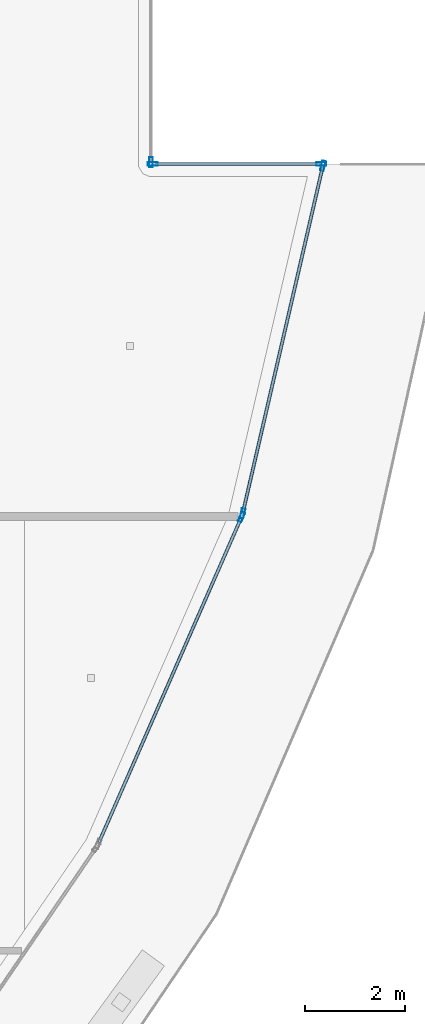
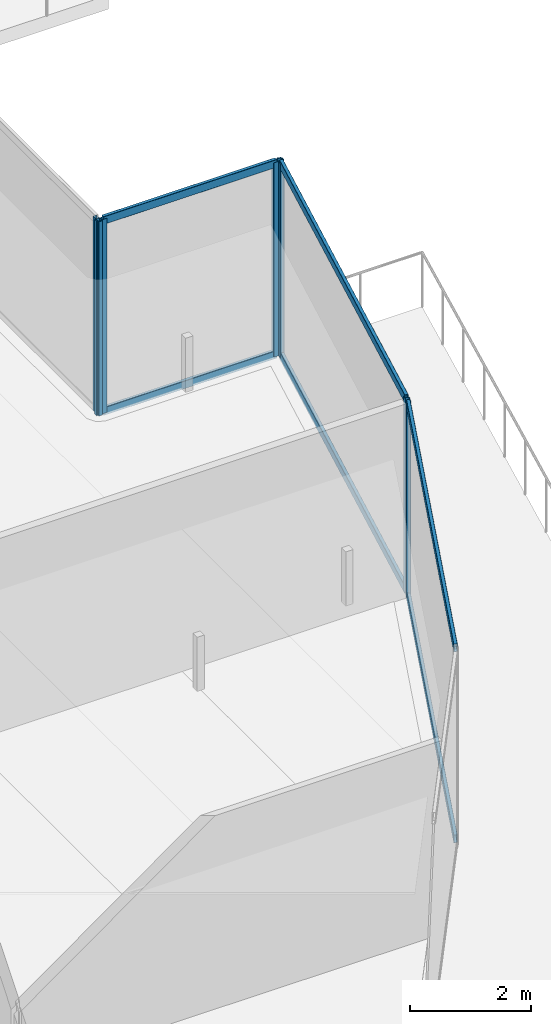
# One storey, part 24 of 44: 12 members, 4 elements without a shape of their own.
"""IFC4 building model written with IfcOpenShell, lengths in metres."""

from ifc_helpers import new_model, si_unit, direction, frame, origin, origin_2d, place, context, subcontext, project, spatial, hollow_rectangle, extrude, material, layer, layer_set, material_profile, profile_set, type_object, element, aggregate, save


model = new_model("IFC4")

# Units and contexts
model_context = context("Model", 3, precision=1e-05, world=origin(), true_north=direction((0.0, 1.0)))
body_context = subcontext(model_context, "Body", "Model", "MODEL_VIEW")
ifc_project = project(units=[si_unit("LENGTHUNIT", "METRE"), si_unit("AREAUNIT", "SQUARE_METRE"), si_unit("VOLUMEUNIT", "CUBIC_METRE"), si_unit("PLANEANGLEUNIT", "RADIAN"), si_unit("MASSUNIT", "GRAM", prefix="KILO")], contexts=[model_context])

# Site, building, storey
site_placement = place(None, origin())
site = spatial("IfcSite", under=ifc_project, at=site_placement, CompositionType="ELEMENT")
building_placement = place(site_placement, origin())
building = spatial("IfcBuilding", under=site, at=building_placement, Name="Qorvath Tower", CompositionType="ELEMENT")
storey_placement = place(building_placement, frame((0.0, 0.0, 78.60009765625)))
storey = spatial("IfcBuildingStorey", under=building, at=storey_placement, Name="L17", CompositionType="ELEMENT", Elevation=78.60009765625)

# Curtain wall, member
ifc_material_1 = material(Name="Anodised aluminium and triple low-E glass", Category="aluminium")
ifc_layer = layer(ifc_material_1, 0.179931640625)
ifc_layer_set = layer_set([ifc_layer], Name="CW-SYS-5")
curtain_wall_type = type_object("IfcCurtainWallType", Name="CW-SYS-5", PredefinedType="NOTDEFINED", material=ifc_layer_set)
curtain_wall_1_placement = place(storey_placement, origin())
curtain_wall_1 = element("IfcCurtainWall", 1, at=curtain_wall_1_placement, inside=storey, type_object=curtain_wall_type, Name="Curtain Wall CW-5 CW-T-L17-10.1", PredefinedType="NOTDEFINED")
ifc_material_2 = material(Name="Anodised aluminium 6063-T6", Category="aluminium")
ifc_material_profile_1 = material_profile(ifc_material_2, hollow_rectangle(XDim=0.074951171875, YDim=0.199951171875, WallThickness=0.00390625, InnerFilletRadius=0.00390625, OuterFilletRadius=0.008056640625, at=origin_2d()), Name="CWM 200x75")
ifc_profile_set_1 = profile_set([ifc_material_profile_1], Name="Anodised aluminium 6063-T6")
member_type_1 = type_object("IfcMemberType", Name="CWM-200", PredefinedType="MULLION", material=ifc_profile_set_1)
member_1_placement = place(storey_placement, frame((4.510498046875, -12.265380859375, 0.0), z_axis=(0.0, 0.0, 1.0), x_axis=(-0.915913444211, 0.401375837231, 0.0)))
member_1 = element("IfcMember", 2, at=member_1_placement, type_object=member_type_1, Name="CW-5 mullion 2", PredefinedType="MULLION", context=body_context, shape_type="SweptSolid", body=[
    extrude(hollow_rectangle(XDim=0.074951171875, YDim=0.199951171875, WallThickness=0.00390625, InnerFilletRadius=0.00390625, OuterFilletRadius=0.008056640625, at=origin_2d()), origin(), (0.0, 0.0, 1.0), 3.919921875),
])

# Curtain wall, members
curtain_wall_2_placement = place(storey_placement, origin())
curtain_wall_2 = element("IfcCurtainWall", 3, at=curtain_wall_2_placement, inside=storey, type_object=curtain_wall_type, Name="Curtain Wall CW-5 CW-T-L17-11.1", PredefinedType="NOTDEFINED")
member_2_placement = place(storey_placement, frame((4.533935546875, -12.194580078125, 0.0), z_axis=(0.0, 0.0, 1.0), x_axis=(-0.97438839911, 0.224871624887, 0.0)))
member_2 = element("IfcMember", 4, at=member_2_placement, type_object=member_type_1, Name="CW-5 mullion 1", PredefinedType="MULLION", context=body_context, shape_type="SweptSolid", body=[
    extrude(hollow_rectangle(XDim=0.074951171875, YDim=0.199951171875, WallThickness=0.00390625, InnerFilletRadius=0.00390625, OuterFilletRadius=0.008056640625, at=origin_2d()), origin(), (0.0, 0.0, 1.0), 3.919921875),
])
member_3_placement = place(storey_placement, frame((6.1435546875, -5.220703125, 0.0), z_axis=(0.0, 0.0, 1.0), x_axis=(-0.97438839911, 0.224871624887, 0.0)))
member_3 = element("IfcMember", 5, at=member_3_placement, type_object=member_type_1, Name="CW-5 mullion 2", PredefinedType="MULLION", context=body_context, shape_type="SweptSolid", body=[
    extrude(hollow_rectangle(XDim=0.074951171875, YDim=0.199951171875, WallThickness=0.00390625, InnerFilletRadius=0.00390625, OuterFilletRadius=0.008056640625, at=origin_2d()), origin(), (0.0, 0.0, 1.0), 3.919921875),
])

curtain_wall_3_placement = place(storey_placement, origin())
curtain_wall_3 = element("IfcCurtainWall", 6, at=curtain_wall_3_placement, inside=storey, type_object=curtain_wall_type, Name="Curtain Wall CW-5 CW-T-L17-12.1", PredefinedType="NOTDEFINED")
member_4_placement = place(storey_placement, frame((6.114501953125, -5.18408203125, 0.0), z_axis=(0.0, 0.0, 1.0), x_axis=(0.0, -1.0, 0.0)))
member_4 = element("IfcMember", 7, at=member_4_placement, type_object=member_type_1, Name="CW-5 mullion 1", PredefinedType="MULLION", context=body_context, shape_type="SweptSolid", body=[
    extrude(hollow_rectangle(XDim=0.074951171875, YDim=0.199951171875, WallThickness=0.00390625, InnerFilletRadius=0.00390625, OuterFilletRadius=0.008056640625, at=origin_2d()), origin(), (0.0, 0.0, 1.0), 3.919921875),
])
member_5_placement = place(storey_placement, frame((2.7333984375, -5.18408203125, 0.0), z_axis=(0.0, 0.0, 1.0), x_axis=(0.0, -1.0, 0.0)))
member_5 = element("IfcMember", 8, at=member_5_placement, type_object=member_type_1, Name="CW-5 mullion 2", PredefinedType="MULLION", context=body_context, shape_type="SweptSolid", body=[
    extrude(hollow_rectangle(XDim=0.074951171875, YDim=0.199951171875, WallThickness=0.00390625, InnerFilletRadius=0.00390625, OuterFilletRadius=0.008056640625, at=origin_2d()), origin(), (0.0, 0.0, 1.0), 3.919921875),
])

# Curtain wall, member
curtain_wall_4_placement = place(storey_placement, origin())
curtain_wall_4 = element("IfcCurtainWall", 9, at=curtain_wall_4_placement, inside=storey, type_object=curtain_wall_type, Name="Curtain Wall CW-5 CW-T-L17-13.1", PredefinedType="NOTDEFINED")
member_6_placement = place(storey_placement, frame((2.69580078125, -5.146484375, 0.0), z_axis=(0.0, 0.0, 1.0), x_axis=(-1.0, 0.0, 0.0)))
member_6 = element("IfcMember", 10, at=member_6_placement, type_object=member_type_1, Name="CW-5 mullion 1", PredefinedType="MULLION", context=body_context, shape_type="SweptSolid", body=[
    extrude(hollow_rectangle(XDim=0.074951171875, YDim=0.199951171875, WallThickness=0.00390625, InnerFilletRadius=0.00390625, OuterFilletRadius=0.008056640625, at=origin_2d()), origin(), (0.0, 0.0, 1.0), 3.919921875),
])
aggregate(curtain_wall_4, [member_6])

# Member
ifc_material_3 = material(Name="Anodised aluminium 6063-T6", Category="aluminium")
ifc_material_profile_2 = material_profile(ifc_material_3, hollow_rectangle(XDim=0.06494140625, YDim=0.159912109375, WallThickness=0.00341796875, InnerFilletRadius=0.00341796875, OuterFilletRadius=0.007080078125, at=origin_2d()), Name="CWT 160x65")
ifc_profile_set_2 = profile_set([ifc_material_profile_2], Name="Anodised aluminium 6063-T6")
member_type_2 = type_object("IfcMemberType", Name="CWT-160", PredefinedType="USERDEFINED", material=ifc_profile_set_2)
member_7_placement = place(storey_placement, frame((1.65283203125, -18.786376953125, 0.032470703125), z_axis=(0.401399249967, 0.915903183817, 0.0), x_axis=(-0.915903183817, 0.401399249967, 0.0)))
member_7 = element("IfcMember", 11, at=member_7_placement, type_object=member_type_2, Name="CW-5 transom 1.1", ObjectType="TRANSOM", PredefinedType="USERDEFINED", context=body_context, shape_type="SweptSolid", body=[
    extrude(hollow_rectangle(XDim=0.06494140625, YDim=0.159912109375, WallThickness=0.00341796875, InnerFilletRadius=0.00341796875, OuterFilletRadius=0.007080078125, at=origin_2d()), origin(), (0.0, 0.0, 1.0), 7.082275390625),
])

member_8_placement = place(storey_placement, frame((1.65283203125, -18.786376953125, 3.887451171875), z_axis=(0.401399249967, 0.915903183817, 0.0), x_axis=(-0.915903183817, 0.401399249967, 0.0)))
member_8 = element("IfcMember", 12, at=member_8_placement, type_object=member_type_2, Name="CW-5 transom 1.2", ObjectType="TRANSOM", PredefinedType="USERDEFINED", context=body_context, shape_type="SweptSolid", body=[
    extrude(hollow_rectangle(XDim=0.06494140625, YDim=0.159912109375, WallThickness=0.00341796875, InnerFilletRadius=0.00341796875, OuterFilletRadius=0.007080078125, at=origin_2d()), origin(), (0.0, 0.0, 1.0), 7.082275390625),
])

aggregate(curtain_wall_1, [member_1, member_7, member_8])

member_9_placement = place(storey_placement, frame((4.54248046875, -12.157958984375, 0.032470703125), z_axis=(0.224862024329, 0.9743906147, 0.0), x_axis=(-0.9743906147, 0.224862024329, 0.0)))
member_9 = element("IfcMember", 13, at=member_9_placement, type_object=member_type_2, Name="CW-5 transom 1.1", ObjectType="TRANSOM", PredefinedType="USERDEFINED", context=body_context, shape_type="SweptSolid", body=[
    extrude(hollow_rectangle(XDim=0.06494140625, YDim=0.159912109375, WallThickness=0.00341796875, InnerFilletRadius=0.00341796875, OuterFilletRadius=0.007080078125, at=origin_2d()), origin(), (0.0, 0.0, 1.0), 7.082275390625),
])

member_10_placement = place(storey_placement, frame((4.54248046875, -12.157958984375, 3.887451171875), z_axis=(0.224862024329, 0.9743906147, 0.0), x_axis=(-0.9743906147, 0.224862024329, 0.0)))
member_10 = element("IfcMember", 14, at=member_10_placement, type_object=member_type_2, Name="CW-5 transom 1.2", ObjectType="TRANSOM", PredefinedType="USERDEFINED", context=body_context, shape_type="SweptSolid", body=[
    extrude(hollow_rectangle(XDim=0.06494140625, YDim=0.159912109375, WallThickness=0.00341796875, InnerFilletRadius=0.00341796875, OuterFilletRadius=0.007080078125, at=origin_2d()), origin(), (0.0, 0.0, 1.0), 7.082275390625),
])

aggregate(curtain_wall_2, [member_2, member_3, member_9, member_10])

member_11_placement = place(storey_placement, frame((6.076904296875, -5.18408203125, 0.032470703125), z_axis=(-1.0, 0.0, 0.0), x_axis=(0.0, -1.0, 0.0)))
member_11 = element("IfcMember", 15, at=member_11_placement, type_object=member_type_2, Name="CW-5 transom 1.1", ObjectType="TRANSOM", PredefinedType="USERDEFINED", context=body_context, shape_type="SweptSolid", body=[
    extrude(hollow_rectangle(XDim=0.06494140625, YDim=0.159912109375, WallThickness=0.00341796875, InnerFilletRadius=0.00341796875, OuterFilletRadius=0.007080078125, at=origin_2d()), origin(), (0.0, 0.0, 1.0), 3.30615234375),
])

member_12_placement = place(storey_placement, frame((6.076904296875, -5.18408203125, 3.887451171875), z_axis=(-1.0, 0.0, 0.0), x_axis=(0.0, -1.0, 0.0)))
member_12 = element("IfcMember", 16, at=member_12_placement, type_object=member_type_2, Name="CW-5 transom 1.2", ObjectType="TRANSOM", PredefinedType="USERDEFINED", context=body_context, shape_type="SweptSolid", body=[
    extrude(hollow_rectangle(XDim=0.06494140625, YDim=0.159912109375, WallThickness=0.00341796875, InnerFilletRadius=0.00341796875, OuterFilletRadius=0.007080078125, at=origin_2d()), origin(), (0.0, 0.0, 1.0), 3.30615234375),
])

aggregate(curtain_wall_3, [member_4, member_5, member_11, member_12])

save(model, "model.ifc")
